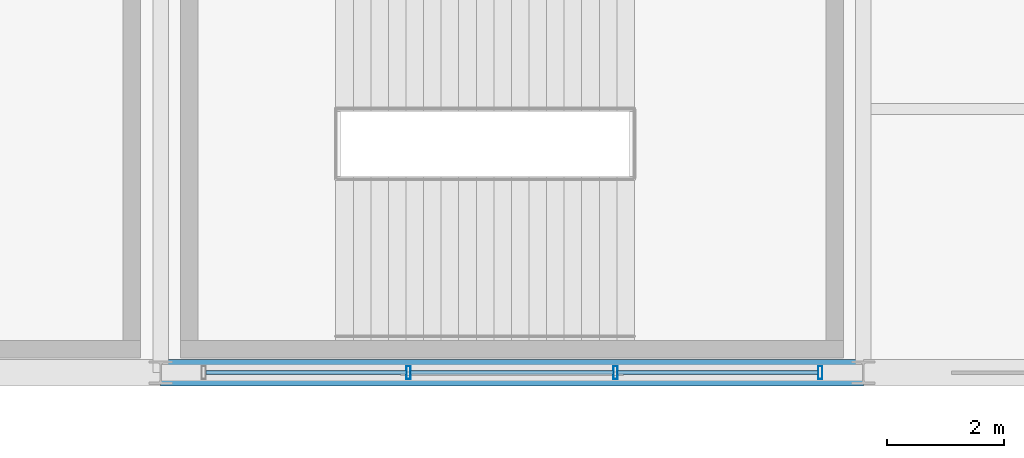
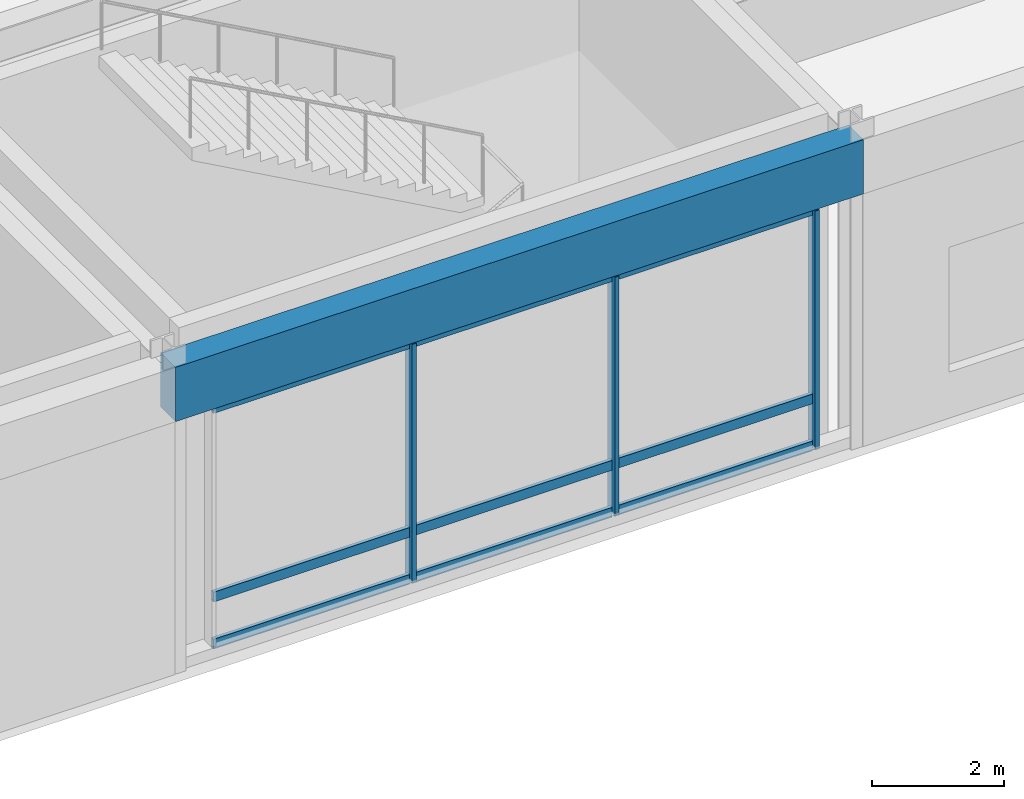
# One storey, part 34 of 105: 12 members, 1 beam, 1 element without a shape of its own.
"""IFC4 building model written with IfcOpenShell, lengths in metres."""

from ifc_helpers import new_model, si_unit, direction, frame, origin, origin_2d, place, context, subcontext, project, spatial, rectangle, hollow_rectangle, extrude, material, material_profile, profile_set, type_object, element, aggregate, save


model = new_model("IFC4")

# Units and contexts
model_context = context("Model", 3, precision=1e-05, world=origin(), true_north=direction((0.0, 1.0)))
body_context = subcontext(model_context, "Body", "Model", "MODEL_VIEW")
ifc_project = project(units=[si_unit("LENGTHUNIT", "METRE"), si_unit("AREAUNIT", "SQUARE_METRE"), si_unit("VOLUMEUNIT", "CUBIC_METRE"), si_unit("PLANEANGLEUNIT", "RADIAN"), si_unit("MASSUNIT", "GRAM", prefix="KILO")], contexts=[model_context])

# Site, building, storey
site_placement = place(None, origin())
site = spatial("IfcSite", under=ifc_project, at=site_placement, CompositionType="ELEMENT")
building_placement = place(site_placement, origin())
building = spatial("IfcBuilding", under=site, at=building_placement, Name="Kaldorvane Square Convention Centre", CompositionType="ELEMENT")
storey_placement = place(building_placement, frame((0.0, 0.0, 6.0)))
storey = spatial("IfcBuildingStorey", under=building, at=storey_placement, Name="L01", CompositionType="ELEMENT", Elevation=6.0)

# Beam
ifc_material_1 = material(Name="Concrete f'c = 42 MPa (Normalweight)", Category="concrete")
ifc_material_profile_1 = material_profile(ifc_material_1, rectangle(XDim=0.4499969482421875, YDim=1.0, at=origin_2d()), Name="RCSP1000X450")
ifc_profile_set_1 = profile_set([ifc_material_profile_1], Name="Concrete f'c = 42 MPa (Normalweight)")
beam_type = type_object("IfcBeamType", Name="BM-SP-RC1000", PredefinedType="SPANDREL", material=ifc_profile_set_1)
beam_placement = place(storey_placement, frame((126.0, 0.0, 5.175994873046875), z_axis=(1.0, 0.0, 0.0), x_axis=(0.0, 1.0, 0.0)))
element("IfcBeam", 1, at=beam_placement, inside=storey, type_object=beam_type, Name="Perimeter Spandrel (L01)", PredefinedType="SPANDREL", context=body_context, shape_type="SweptSolid", body=[
    extrude(rectangle(XDim=0.4499969482421875, YDim=1.0, at=origin_2d()), origin(), (0.0, 0.0, 1.0), 12.0),
])

# Curtain wall, members
ifc_material_2 = material(Name="Anodized Aluminum and Low-E Insulated Glazing", Category="aluminium")
curtain_wall_type = type_object("IfcCurtainWallType", Name="CW-UNI-P60-12", PredefinedType="USERDEFINED", material=ifc_material_2)
curtain_wall_placement = place(storey_placement, origin())
curtain_wall = element("IfcCurtainWall", 2, at=curtain_wall_placement, inside=storey, type_object=curtain_wall_type, Name="Curtain Wall CW-01 (L01)", ObjectType="UNITISED GLAZING", PredefinedType="USERDEFINED")
ifc_material_profile_2 = material_profile(ifc_material_2, hollow_rectangle(XDim=0.0749969482421875, YDim=0.220001220703125, WallThickness=0.003997802734375, at=origin_2d()), Name="CWM-220X75")
ifc_profile_set_2 = profile_set([ifc_material_profile_2], Name="Anodized Aluminum and Low-E Insulated Glazing")
member_type_1 = type_object("IfcMemberType", Name="CW-MUL-220", PredefinedType="MULLION", material=ifc_profile_set_2)
member_1_placement = place(storey_placement, frame((130.23333740234375, 0.0, 0.149993896484375), z_axis=(0.0, 0.0, 1.0), x_axis=(1.0, 0.0, 0.0)))
member_1 = element("IfcMember", 3, at=member_1_placement, type_object=member_type_1, Name="CW-01 mullion 2", PredefinedType="MULLION", context=body_context, shape_type="SweptSolid", body=[
    extrude(hollow_rectangle(XDim=0.0749969482421875, YDim=0.220001220703125, WallThickness=0.003997802734375, at=origin_2d()), origin(), (0.0, 0.0, 1.0), 4.410003662109375),
])
member_2_placement = place(storey_placement, frame((133.76666259765625, 0.0, 0.149993896484375), z_axis=(0.0, 0.0, 1.0), x_axis=(1.0, 0.0, 0.0)))
member_2 = element("IfcMember", 4, at=member_2_placement, type_object=member_type_1, Name="CW-01 mullion 3", PredefinedType="MULLION", context=body_context, shape_type="SweptSolid", body=[
    extrude(hollow_rectangle(XDim=0.0749969482421875, YDim=0.220001220703125, WallThickness=0.003997802734375, at=origin_2d()), origin(), (0.0, 0.0, 1.0), 4.410003662109375),
])
member_3_placement = place(storey_placement, frame((137.2624969482422, 0.0, 0.149993896484375), z_axis=(0.0, 0.0, 1.0), x_axis=(1.0, 0.0, 0.0)))
member_3 = element("IfcMember", 5, at=member_3_placement, type_object=member_type_1, Name="CW-01 mullion 4", PredefinedType="MULLION", context=body_context, shape_type="SweptSolid", body=[
    extrude(hollow_rectangle(XDim=0.0749969482421875, YDim=0.220001220703125, WallThickness=0.003997802734375, at=origin_2d()), origin(), (0.0, 0.0, 1.0), 4.410003662109375),
])
ifc_material_profile_3 = material_profile(ifc_material_2, hollow_rectangle(XDim=0.06500244140625, YDim=0.17999267578125, WallThickness=0.0034942626953125, at=origin_2d()), Name="CWT-180X65")
ifc_profile_set_3 = profile_set([ifc_material_profile_3], Name="Anodized Aluminum and Low-E Insulated Glazing")
member_type_2 = type_object("IfcMemberType", Name="CW-TRN-180", PredefinedType="USERDEFINED", material=ifc_profile_set_3)
member_4_placement = place(storey_placement, frame((126.77499389648438, 0.0, 0.1824951171875), z_axis=(1.0, 0.0, 0.0), x_axis=(0.0, 1.0, 0.0)))
member_4 = element("IfcMember", 6, at=member_4_placement, type_object=member_type_2, Name="CW-01 transom 1.1", ObjectType="TRANSOM", PredefinedType="USERDEFINED", context=body_context, shape_type="SweptSolid", body=[
    extrude(hollow_rectangle(XDim=0.06500244140625, YDim=0.17999267578125, WallThickness=0.0034942626953125, at=origin_2d()), origin(), (0.0, 0.0, 1.0), 3.42083740234375),
])
member_5_placement = place(storey_placement, frame((126.77499389648438, 0.0, 1.0500030517578125), z_axis=(1.0, 0.0, 0.0), x_axis=(0.0, 1.0, 0.0)))
member_5 = element("IfcMember", 7, at=member_5_placement, type_object=member_type_2, Name="CW-01 transom 1.2", ObjectType="TRANSOM", PredefinedType="USERDEFINED", context=body_context, shape_type="SweptSolid", body=[
    extrude(hollow_rectangle(XDim=0.06500244140625, YDim=0.17999267578125, WallThickness=0.0034942626953125, at=origin_2d()), origin(), (0.0, 0.0, 1.0), 3.42083740234375),
])
member_6_placement = place(storey_placement, frame((126.77499389648438, 0.0, 4.527496337890625), z_axis=(1.0, 0.0, 0.0), x_axis=(0.0, 1.0, 0.0)))
member_6 = element("IfcMember", 8, at=member_6_placement, type_object=member_type_2, Name="CW-01 transom 1.3", ObjectType="TRANSOM", PredefinedType="USERDEFINED", context=body_context, shape_type="SweptSolid", body=[
    extrude(hollow_rectangle(XDim=0.06500244140625, YDim=0.17999267578125, WallThickness=0.0034942626953125, at=origin_2d()), origin(), (0.0, 0.0, 1.0), 3.42083740234375),
])
member_7_placement = place(storey_placement, frame((130.2708282470703, 0.0, 0.1824951171875), z_axis=(1.0, 0.0, 0.0), x_axis=(0.0, 1.0, 0.0)))
member_7 = element("IfcMember", 9, at=member_7_placement, type_object=member_type_2, Name="CW-01 transom 2.1", ObjectType="TRANSOM", PredefinedType="USERDEFINED", context=body_context, shape_type="SweptSolid", body=[
    extrude(hollow_rectangle(XDim=0.06500244140625, YDim=0.17999267578125, WallThickness=0.0034942626953125, at=origin_2d()), origin(), (0.0, 0.0, 1.0), 3.458343505859375),
])
member_8_placement = place(storey_placement, frame((130.2708282470703, 0.0, 1.0500030517578125), z_axis=(1.0, 0.0, 0.0), x_axis=(0.0, 1.0, 0.0)))
member_8 = element("IfcMember", 10, at=member_8_placement, type_object=member_type_2, Name="CW-01 transom 2.2", ObjectType="TRANSOM", PredefinedType="USERDEFINED", context=body_context, shape_type="SweptSolid", body=[
    extrude(hollow_rectangle(XDim=0.06500244140625, YDim=0.17999267578125, WallThickness=0.0034942626953125, at=origin_2d()), origin(), (0.0, 0.0, 1.0), 3.458343505859375),
])
member_9_placement = place(storey_placement, frame((130.2708282470703, 0.0, 4.527496337890625), z_axis=(1.0, 0.0, 0.0), x_axis=(0.0, 1.0, 0.0)))
member_9 = element("IfcMember", 11, at=member_9_placement, type_object=member_type_2, Name="CW-01 transom 2.3", ObjectType="TRANSOM", PredefinedType="USERDEFINED", context=body_context, shape_type="SweptSolid", body=[
    extrude(hollow_rectangle(XDim=0.06500244140625, YDim=0.17999267578125, WallThickness=0.0034942626953125, at=origin_2d()), origin(), (0.0, 0.0, 1.0), 3.458343505859375),
])
member_10_placement = place(storey_placement, frame((133.80416870117188, 0.0, 0.1824951171875), z_axis=(1.0, 0.0, 0.0), x_axis=(0.0, 1.0, 0.0)))
member_10 = element("IfcMember", 12, at=member_10_placement, type_object=member_type_2, Name="CW-01 transom 3.1", ObjectType="TRANSOM", PredefinedType="USERDEFINED", context=body_context, shape_type="SweptSolid", body=[
    extrude(hollow_rectangle(XDim=0.06500244140625, YDim=0.17999267578125, WallThickness=0.0034942626953125, at=origin_2d()), origin(), (0.0, 0.0, 1.0), 3.42083740234375),
])
member_11_placement = place(storey_placement, frame((133.80416870117188, 0.0, 1.0500030517578125), z_axis=(1.0, 0.0, 0.0), x_axis=(0.0, 1.0, 0.0)))
member_11 = element("IfcMember", 13, at=member_11_placement, type_object=member_type_2, Name="CW-01 transom 3.2", ObjectType="TRANSOM", PredefinedType="USERDEFINED", context=body_context, shape_type="SweptSolid", body=[
    extrude(hollow_rectangle(XDim=0.06500244140625, YDim=0.17999267578125, WallThickness=0.0034942626953125, at=origin_2d()), origin(), (0.0, 0.0, 1.0), 3.42083740234375),
])
member_12_placement = place(storey_placement, frame((133.80416870117188, 0.0, 4.527496337890625), z_axis=(1.0, 0.0, 0.0), x_axis=(0.0, 1.0, 0.0)))
member_12 = element("IfcMember", 14, at=member_12_placement, type_object=member_type_2, Name="CW-01 transom 3.3", ObjectType="TRANSOM", PredefinedType="USERDEFINED", context=body_context, shape_type="SweptSolid", body=[
    extrude(hollow_rectangle(XDim=0.06500244140625, YDim=0.17999267578125, WallThickness=0.0034942626953125, at=origin_2d()), origin(), (0.0, 0.0, 1.0), 3.42083740234375),
])
aggregate(curtain_wall, [member_1, member_2, member_3, member_4, member_5, member_6, member_7, member_8, member_9, member_10, member_11, member_12])

save(model, "model.ifc")
